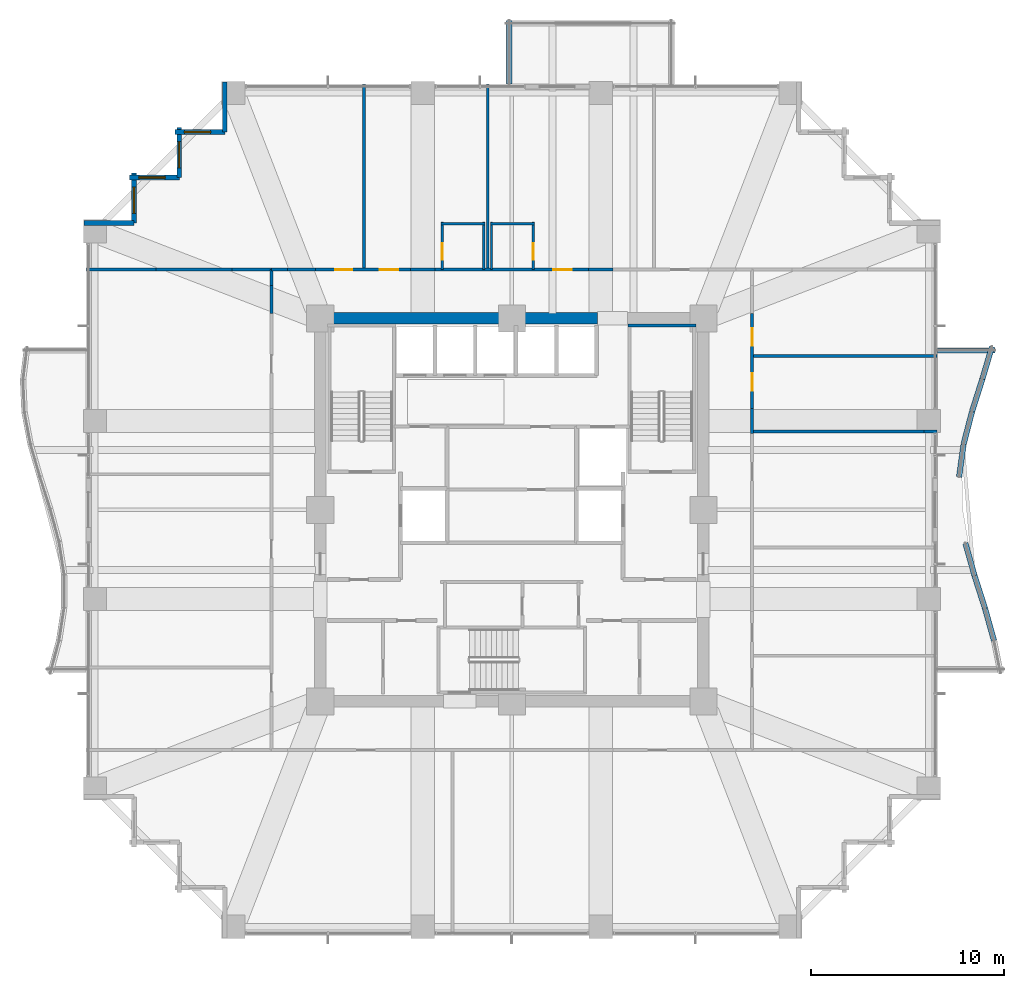
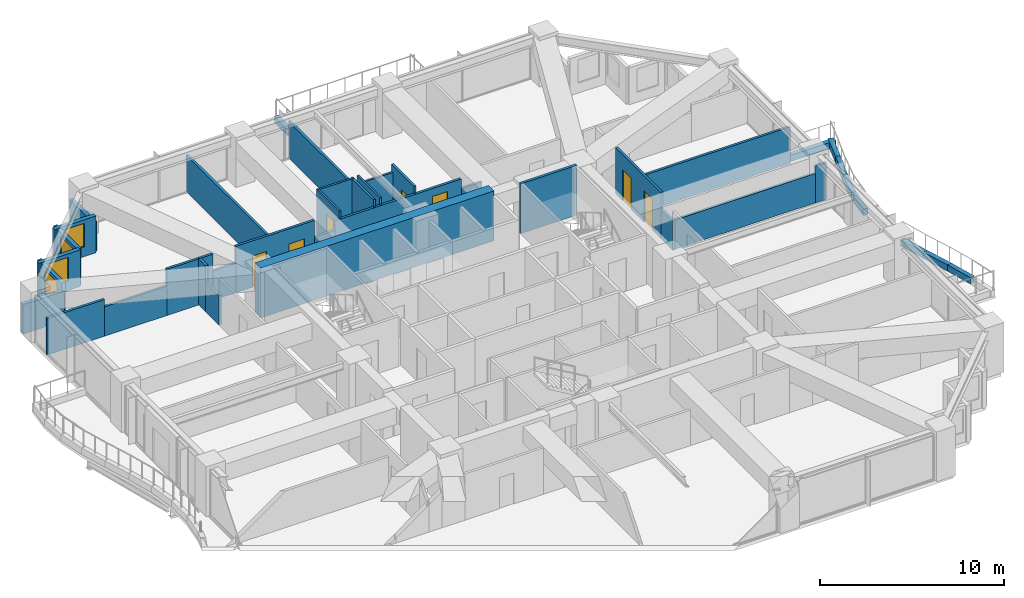
# One storey, part 35 of 39: 41 walls, 7 doors, 4 windows, 11 openings.
"""IFC4 building model written with IfcOpenShell, lengths in metres."""

from ifc_helpers import new_model, si_unit, direction, frame, frame_2d, origin, place, context, subcontext, project, spatial, rectangle, extrude, material, layer, layer_set, type_object, element, fill, save


model = new_model("IFC4")

# Units and contexts
model_context = context("Model", 3, precision=1e-05, world=origin(), true_north=direction((0.0, 1.0)))
body_context = subcontext(model_context, "Body", "Model", "MODEL_VIEW")
ifc_project = project(units=[si_unit("LENGTHUNIT", "METRE"), si_unit("AREAUNIT", "SQUARE_METRE"), si_unit("VOLUMEUNIT", "CUBIC_METRE"), si_unit("PLANEANGLEUNIT", "RADIAN"), si_unit("MASSUNIT", "GRAM", prefix="KILO")], contexts=[model_context])

# Site, building, storey
site_placement = place(None, origin())
site = spatial("IfcSite", under=ifc_project, at=site_placement, CompositionType="ELEMENT")
building_placement = place(site_placement, origin())
building = spatial("IfcBuilding", under=site, at=building_placement, Name="Kolvaren Belvedere", CompositionType="ELEMENT")
storey_placement = place(building_placement, frame((0.0, 0.0, 33.699951171875)))
storey = spatial("IfcBuildingStorey", under=building, at=storey_placement, Name="L09", CompositionType="ELEMENT", Elevation=33.699951171875)

# Walls
ifc_material_1 = material(Name="Concrete C60/75", Category="concrete")
ifc_layer_1 = layer(ifc_material_1, 0.60009765625)
ifc_layer_set_1 = layer_set([ifc_layer_1], Name="Concrete C60/75")
wall_type_1 = type_object("IfcWallType", Name="CW-CORE-600", PredefinedType="SHEAR", material=ifc_layer_set_1)
wall_1_placement = place(storey_placement, frame((-10.199951171875, 9.89990234375, 0.0), z_axis=(0.0, 0.0, 1.0), x_axis=(1.0, 0.0, 0.0)))
element("IfcWall", 1, at=wall_1_placement, inside=storey, type_object=wall_type_1, Name="L09 North Core Shear Wall 1", PredefinedType="SHEAR", context=body_context, shape_type="SweptSolid", body=[
    extrude(rectangle(XDim=14.619873046875, YDim=0.60009765625, at=frame_2d((7.31005859375, 0.0))), origin(), (0.0, 0.0, 1.0), 3.300048828125),
])
ifc_material_2 = material(Name="Concrete C50/60", Category="concrete")
ifc_layer_2 = layer(ifc_material_2, 0.159912109375)
ifc_layer_set_2 = layer_set([ifc_layer_2], Name="Concrete C50/60")
wall_type_2 = type_object("IfcWallType", Name="CW-STAIR-160", PredefinedType="SHEAR", material=ifc_layer_set_2)
wall_2_placement = place(storey_placement, frame((6.0, 9.530029296875, 0.0), z_axis=(0.0, 0.0, 1.0), x_axis=(1.0, 0.0, 0.0)))
element("IfcWall", 2, at=wall_2_placement, inside=storey, type_object=wall_type_2, Name="L09 Stair ST-2 North Shear Wall", PredefinedType="SHEAR", context=body_context, shape_type="SweptSolid", body=[
    extrude(rectangle(XDim=3.52001953125, YDim=0.159912109375, at=frame_2d((1.760009765625, 0.0))), origin(), (0.0, 0.0, 1.0), 3.300048828125),
])
ifc_material_3 = material(Name="Gypsum fire-rated partition assembly", Category="gypsum")
ifc_layer_3 = layer(ifc_material_3, 0.14990234375)
ifc_layer_set_3 = layer_set([ifc_layer_3], Name="Gypsum fire-rated partition assembly")
wall_type_3 = type_object("IfcWallType", Name="WL-CORR-150", PredefinedType="PARTITIONING", material=ifc_layer_set_3)
wall_3_placement = place(storey_placement, frame((-12.419921875, 12.419921875, 0.0), z_axis=(0.0, 0.0, 1.0), x_axis=(1.0, 0.0, 0.0)))
element("IfcWall", 3, at=wall_3_placement, inside=storey, type_object=wall_type_3, Name="L09 North Corridor Wall", PredefinedType="PARTITIONING", context=body_context, shape_type="SweptSolid", body=[
    extrude(rectangle(XDim=0.826904296875, YDim=0.14990234375, at=frame_2d((0.41357421875, 0.0))), origin(), (0.0, 0.0, 1.0), 3.06005859375),
])
wall_4_placement = place(storey_placement, frame((-11.593017578125, 12.419921875, 0.0), z_axis=(0.0, 0.0, 1.0), x_axis=(1.0, 0.0, 0.0)))
element("IfcWall", 4, at=wall_4_placement, inside=storey, type_object=wall_type_3, Name="L09 North Corridor Wall", PredefinedType="PARTITIONING", context=body_context, shape_type="SweptSolid", body=[
    extrude(rectangle(XDim=1.439208984375, YDim=0.14990234375, at=frame_2d((0.7197265625, 0.0))), origin(), (0.0, 0.0, 1.0), 1.945068359375),
])

# Wall, openings, doors
wall_5_placement = place(storey_placement, frame((-10.15380859375, 12.419921875, 0.0), z_axis=(0.0, 0.0, 1.0), x_axis=(1.0, 0.0, 0.0)))
wall_5 = element("IfcWall", 5, at=wall_5_placement, inside=storey, type_object=wall_type_3, Name="L09 North Corridor Wall", PredefinedType="PARTITIONING", context=body_context, shape_type="SweptSolid", body=[
    extrude(rectangle(XDim=4.911865234375, YDim=0.14990234375, at=frame_2d((2.4560546875, 0.0))), origin(), (0.0, 0.0, 1.0), 3.06005859375),
])
opening_1_placement = place(wall_5_placement, frame((1.016845703125, 0.0, 0.0)))
opening_1 = element("IfcOpeningElement", 6, at=opening_1_placement, cuts=wall_5, Name="Opening D-INT90", PredefinedType="OPENING", context=body_context, shape_type="SweptSolid", body=[
    extrude(rectangle(XDim=0.89990234375, YDim=2.06005859375, at=frame_2d((0.449951171875, 1.030029296875))), frame((0.0, 0.0849609375, 0.0), z_axis=(0.0, -1.0, 0.0), x_axis=(1.0, 0.0, 0.0)), (0.0, 0.0, 1.0), 0.169921875),
])
opening_2_placement = place(wall_5_placement, frame((3.326904296875, 0.0, 0.0)))
opening_2 = element("IfcOpeningElement", 7, at=opening_2_placement, cuts=wall_5, Name="Opening D-FD60", PredefinedType="OPENING", context=body_context, shape_type="SweptSolid", body=[
    extrude(rectangle(XDim=0.949951171875, YDim=2.06005859375, at=frame_2d((0.47509765625, 1.030029296875))), frame((0.0, 0.0849609375, 0.0), z_axis=(0.0, -1.0, 0.0), x_axis=(1.0, 0.0, 0.0)), (0.0, 0.0, 1.0), 0.169921875),
])
ifc_material_4 = material(Name="Acoustic white-oak fire door leaf", Category="timber")
door_type_1 = type_object("IfcDoorType", Name="DR-FD60-950", OperationType="NOTDEFINED", PredefinedType="DOOR", material=ifc_material_4)
door_1_placement = place(opening_2_placement, origin())
door_1 = element("IfcDoor", 8, at=door_1_placement, inside=storey, type_object=door_type_1, Name="L09 Deluxe King Guest Room 912 Entry Door", OperationType="SINGLE_SWING_LEFT", OverallHeight=2.06005859375, OverallWidth=0.949951171875, PredefinedType="DOOR", context=body_context, shape_type="SweptSolid", body=[
    extrude(rectangle(XDim=0.949951171875, YDim=2.06005859375, at=frame_2d((0.47509765625, 1.030029296875))), frame((0.0, 0.02490234375, 0.0), z_axis=(0.0, -1.0, 0.0), x_axis=(1.0, 0.0, 0.0)), (0.0, 0.0, 1.0), 0.050048828125),
])
fill(opening_2, door_1)
ifc_material_5 = material(Name="Stained Pacific white oak", Category="timber")
door_type_2 = type_object("IfcDoorType", Name="DR-INT-900", OperationType="NOTDEFINED", PredefinedType="DOOR", material=ifc_material_5)
door_2_placement = place(opening_1_placement, origin())
door_2 = element("IfcDoor", 9, at=door_2_placement, inside=storey, type_object=door_type_2, Name="L09 Lounge 911 Door", OperationType="SINGLE_SWING_LEFT", OverallHeight=2.06005859375, OverallWidth=0.89990234375, PredefinedType="DOOR", context=body_context, shape_type="SweptSolid", body=[
    extrude(rectangle(XDim=0.89990234375, YDim=2.06005859375, at=frame_2d((0.449951171875, 1.030029296875))), frame((0.0, 0.02490234375, 0.0), z_axis=(0.0, -1.0, 0.0), x_axis=(1.0, 0.0, 0.0)), (0.0, 0.0, 1.0), 0.050048828125),
])
fill(opening_1, door_2)

# Wall
wall_6_placement = place(storey_placement, frame((-5.241943359375, 12.419921875, 0.0), z_axis=(0.0, 0.0, 1.0), x_axis=(1.0, 0.0, 0.0)))
element("IfcWall", 10, at=wall_6_placement, inside=storey, type_object=wall_type_3, Name="L09 North Corridor Wall", PredefinedType="PARTITIONING", context=body_context, shape_type="SweptSolid", body=[
    extrude(rectangle(XDim=1.283935546875, YDim=0.14990234375, at=frame_2d((0.64208984375, 0.0))), origin(), (0.0, 0.0, 1.0), 1.945068359375),
])

# Wall, opening, door
wall_7_placement = place(storey_placement, frame((-3.9580078125, 12.419921875, 0.0), z_axis=(0.0, 0.0, 1.0), x_axis=(1.0, 0.0, 0.0)))
wall_7 = element("IfcWall", 11, at=wall_7_placement, inside=storey, type_object=wall_type_3, Name="L09 North Corridor Wall", PredefinedType="PARTITIONING", context=body_context, shape_type="SweptSolid", body=[
    extrude(rectangle(XDim=7.916015625, YDim=0.14990234375, at=frame_2d((3.9580078125, 0.0))), origin(), (0.0, 0.0, 1.0), 2.5849609375),
])
opening_3_placement = place(wall_7_placement, frame((6.1083984375, 0.0, 0.0)))
opening_3 = element("IfcOpeningElement", 12, at=opening_3_placement, cuts=wall_7, Name="Opening D-FD60", PredefinedType="OPENING", context=body_context, shape_type="SweptSolid", body=[
    extrude(rectangle(XDim=0.949951171875, YDim=2.06005859375, at=frame_2d((0.47509765625, 1.030029296875))), frame((0.0, 0.0849609375, 0.0), z_axis=(0.0, -1.0, 0.0), x_axis=(1.0, 0.0, 0.0)), (0.0, 0.0, 1.0), 0.169921875),
])
door_3_placement = place(opening_3_placement, origin())
door_3 = element("IfcDoor", 13, at=door_3_placement, inside=storey, type_object=door_type_1, Name="L09 Twin Guest Room 913 Entry Door", OperationType="SINGLE_SWING_LEFT", OverallHeight=2.06005859375, OverallWidth=0.949951171875, PredefinedType="DOOR", context=body_context, shape_type="SweptSolid", body=[
    extrude(rectangle(XDim=0.949951171875, YDim=2.06005859375, at=frame_2d((0.47509765625, 1.030029296875))), frame((0.0, 0.02490234375, 0.0), z_axis=(0.0, -1.0, 0.0), x_axis=(1.0, 0.0, 0.0)), (0.0, 0.0, 1.0), 0.050048828125),
])
fill(opening_3, door_3)

# Walls
wall_8_placement = place(storey_placement, frame((3.9580078125, 12.419921875, 0.0), z_axis=(0.0, 0.0, 1.0), x_axis=(1.0, 0.0, 0.0)))
element("IfcWall", 14, at=wall_8_placement, inside=storey, type_object=wall_type_3, Name="L09 North Corridor Wall", PredefinedType="PARTITIONING", context=body_context, shape_type="SweptSolid", body=[
    extrude(rectangle(XDim=1.283935546875, YDim=0.14990234375, at=frame_2d((0.64208984375, 0.0))), origin(), (0.0, 0.0, 1.0), 1.945068359375),
])
wall_9_placement = place(storey_placement, frame((-12.419921875, 10.15380859375, 0.0), z_axis=(0.0, 0.0, 1.0), x_axis=(0.0, 1.0, 0.0)))
element("IfcWall", 15, at=wall_9_placement, inside=storey, type_object=wall_type_3, Name="L09 West Corridor Wall", PredefinedType="PARTITIONING", context=body_context, shape_type="SweptSolid", body=[
    extrude(rectangle(XDim=1.439208984375, YDim=0.14990234375, at=frame_2d((0.7197265625, 0.0))), origin(), (0.0, 0.0, 1.0), 1.945068359375),
])
wall_10_placement = place(storey_placement, frame((-12.419921875, 11.593017578125, 0.0), z_axis=(0.0, 0.0, 1.0), x_axis=(0.0, 1.0, 0.0)))
element("IfcWall", 16, at=wall_10_placement, inside=storey, type_object=wall_type_3, Name="L09 West Corridor Wall", PredefinedType="PARTITIONING", context=body_context, shape_type="SweptSolid", body=[
    extrude(rectangle(XDim=0.826904296875, YDim=0.14990234375, at=frame_2d((0.41357421875, 0.0))), origin(), (0.0, 0.0, 1.0), 3.06005859375),
])
wall_11_placement = place(storey_placement, frame((12.419921875, 3.9580078125, 0.0), z_axis=(0.0, 0.0, 1.0), x_axis=(0.0, 1.0, 0.0)))
element("IfcWall", 17, at=wall_11_placement, inside=storey, type_object=wall_type_3, Name="L09 East Corridor Wall", PredefinedType="PARTITIONING", context=body_context, shape_type="SweptSolid", body=[
    extrude(rectangle(XDim=1.283935546875, YDim=0.14990234375, at=frame_2d((0.64208984375, 0.0))), origin(), (0.0, 0.0, 1.0), 1.945068359375),
])

# Wall, openings, doors
wall_12_placement = place(storey_placement, frame((12.419921875, 5.241943359375, 0.0), z_axis=(0.0, 0.0, 1.0), x_axis=(0.0, 1.0, 0.0)))
wall_12 = element("IfcWall", 18, at=wall_12_placement, inside=storey, type_object=wall_type_3, Name="L09 East Corridor Wall", PredefinedType="PARTITIONING", context=body_context, shape_type="SweptSolid", body=[
    extrude(rectangle(XDim=4.911865234375, YDim=0.14990234375, at=frame_2d((2.4560546875, 0.0))), origin(), (0.0, 0.0, 1.0), 3.06005859375),
])
opening_4_placement = place(wall_12_placement, frame((0.918701171875, 0.0, 0.0)))
opening_4 = element("IfcOpeningElement", 19, at=opening_4_placement, cuts=wall_12, Name="Opening D-INT90", PredefinedType="OPENING", context=body_context, shape_type="SweptSolid", body=[
    extrude(rectangle(XDim=0.89990234375, YDim=2.06005859375, at=frame_2d((0.449951171875, 1.030029296875))), frame((0.0, 0.0849609375, 0.0), z_axis=(0.0, -1.0, 0.0), x_axis=(1.0, 0.0, 0.0)), (0.0, 0.0, 1.0), 0.169921875),
])
opening_5_placement = place(wall_12_placement, frame((3.253662109375, 0.0, 0.0)))
opening_5 = element("IfcOpeningElement", 20, at=opening_5_placement, cuts=wall_12, Name="Opening D-INT90", PredefinedType="OPENING", context=body_context, shape_type="SweptSolid", body=[
    extrude(rectangle(XDim=0.89990234375, YDim=2.06005859375, at=frame_2d((0.449951171875, 1.030029296875))), frame((0.0, 0.0849609375, 0.0), z_axis=(0.0, -1.0, 0.0), x_axis=(1.0, 0.0, 0.0)), (0.0, 0.0, 1.0), 0.169921875),
])
door_4_placement = place(opening_4_placement, origin())
door_4 = element("IfcDoor", 21, at=door_4_placement, inside=storey, type_object=door_type_2, Name="L09 Lounge 906 Door", OperationType="SINGLE_SWING_RIGHT", OverallHeight=2.06005859375, OverallWidth=0.89990234375, PredefinedType="DOOR", context=body_context, shape_type="SweptSolid", body=[
    extrude(rectangle(XDim=0.89990234375, YDim=2.06005859375, at=frame_2d((0.449951171875, 1.030029296875))), frame((0.0, 0.02490234375, 0.0), z_axis=(0.0, -1.0, 0.0), x_axis=(1.0, 0.0, 0.0)), (0.0, 0.0, 1.0), 0.050048828125),
])
fill(opening_4, door_4)
door_5_placement = place(opening_5_placement, origin())
door_5 = element("IfcDoor", 22, at=door_5_placement, inside=storey, type_object=door_type_2, Name="L09 Lounge 907 Door", OperationType="SINGLE_SWING_LEFT", OverallHeight=2.06005859375, OverallWidth=0.89990234375, PredefinedType="DOOR", context=body_context, shape_type="SweptSolid", body=[
    extrude(rectangle(XDim=0.89990234375, YDim=2.06005859375, at=frame_2d((0.449951171875, 1.030029296875))), frame((0.0, 0.02490234375, 0.0), z_axis=(0.0, -1.0, 0.0), x_axis=(1.0, 0.0, 0.0)), (0.0, 0.0, 1.0), 0.050048828125),
])
fill(opening_5, door_5)

# Wall
ifc_material_6 = material(Name="Insulated pale-metal facade wall assembly", Category="aluminium")
ifc_layer_4 = layer(ifc_material_6, 0.239990234375)
ifc_layer_set_4 = layer_set([ifc_layer_4], Name="Insulated pale-metal facade wall assembly")
wall_type_4 = type_object("IfcWallType", Name="WL-EXT-240", PredefinedType="STANDARD", material=ifc_layer_set_4)
wall_13_placement = place(storey_placement, frame((-14.830078125, 19.530029296875, 0.0), z_axis=(0.0, 0.0, 1.0), x_axis=(0.0, 1.0, 0.0)))
element("IfcWall", 23, at=wall_13_placement, inside=storey, type_object=wall_type_4, Name="L09 Serrated Corner Facade Wall 16", PredefinedType="STANDARD", context=body_context, shape_type="SweptSolid", body=[
    extrude(rectangle(XDim=2.590087890625, YDim=0.239990234375, at=frame_2d((1.294921875, 0.0))), origin(), (0.0, 0.0, 1.0), 1.955078125),
])

# Wall, opening, window
wall_14_placement = place(storey_placement, frame((-17.419921875, 19.530029296875, 0.0), z_axis=(0.0, 0.0, 1.0), x_axis=(1.0, 0.0, 0.0)))
wall_14 = element("IfcWall", 24, at=wall_14_placement, inside=storey, type_object=wall_type_4, Name="L09 Serrated Corner Facade Wall 17", PredefinedType="STANDARD", context=body_context, shape_type="SweptSolid", body=[
    extrude(rectangle(XDim=2.58984375, YDim=0.239990234375, at=frame_2d((1.294921875, 0.0))), origin(), (0.0, 0.0, 1.0), 2.43896484375),
])
opening_6_placement = place(wall_14_placement, frame((0.5, 0.0, 0.64990234375)))
opening_6 = element("IfcOpeningElement", 25, at=opening_6_placement, cuts=wall_14, Name="Opening W-1350", PredefinedType="OPENING", context=body_context, shape_type="SweptSolid", body=[
    extrude(rectangle(XDim=1.35009765625, YDim=1.550048828125, at=frame_2d((0.675048828125, 0.77490234375))), frame((0.0, 0.1298828125, 0.0), z_axis=(0.0, -1.0, 0.0), x_axis=(1.0, 0.0, 0.0)), (0.0, 0.0, 1.0), 0.260009765625),
])
ifc_material_7 = material(Name="Low-iron triple insulated glass", Category="glass")
window_type = type_object("IfcWindowType", Name="WN-CORN-1350", PartitioningType="SINGLE_PANEL", PredefinedType="WINDOW", material=ifc_material_7)
window_1_placement = place(opening_6_placement, origin())
window_1 = element("IfcWindow", 26, at=window_1_placement, inside=storey, type_object=window_type, Name="L09 Serrated Corner Vision Window 17", OverallHeight=1.550048828125, OverallWidth=1.35009765625, PartitioningType="SINGLE_PANEL", PredefinedType="WINDOW", context=body_context, shape_type="SweptSolid", body=[
    extrude(rectangle(XDim=1.35009765625, YDim=1.550048828125, at=frame_2d((0.675048828125, 0.77490234375))), frame((0.0, 0.030029296875, 0.0), z_axis=(0.0, -1.0, 0.0), x_axis=(1.0, 0.0, 0.0)), (0.0, 0.0, 1.0), 0.06005859375),
])
fill(opening_6, window_1)

wall_15_placement = place(storey_placement, frame((-17.179931640625, 17.179931640625, 0.0), z_axis=(0.0, 0.0, 1.0), x_axis=(0.0, 1.0, 0.0)))
wall_15 = element("IfcWall", 27, at=wall_15_placement, inside=storey, type_object=wall_type_4, Name="L09 Serrated Corner Facade Wall 18", PredefinedType="STANDARD", context=body_context, shape_type="SweptSolid", body=[
    extrude(rectangle(XDim=2.590087890625, YDim=0.239990234375, at=frame_2d((1.294921875, 0.0))), origin(), (0.0, 0.0, 1.0), 2.43896484375),
])
opening_7_placement = place(wall_15_placement, frame((0.5, 0.0, 0.64990234375)))
opening_7 = element("IfcOpeningElement", 28, at=opening_7_placement, cuts=wall_15, Name="Opening W-1350", PredefinedType="OPENING", context=body_context, shape_type="SweptSolid", body=[
    extrude(rectangle(XDim=1.35009765625, YDim=1.550048828125, at=frame_2d((0.675048828125, 0.77490234375))), frame((0.0, 0.1298828125, 0.0), z_axis=(0.0, -1.0, 0.0), x_axis=(1.0, 0.0, 0.0)), (0.0, 0.0, 1.0), 0.260009765625),
])
window_2_placement = place(opening_7_placement, origin())
window_2 = element("IfcWindow", 29, at=window_2_placement, inside=storey, type_object=window_type, Name="L09 Serrated Corner Vision Window 18", OverallHeight=1.550048828125, OverallWidth=1.35009765625, PartitioningType="SINGLE_PANEL", PredefinedType="WINDOW", context=body_context, shape_type="SweptSolid", body=[
    extrude(rectangle(XDim=1.35009765625, YDim=1.550048828125, at=frame_2d((0.675048828125, 0.77490234375))), frame((0.0, 0.030029296875, 0.0), z_axis=(0.0, -1.0, 0.0), x_axis=(1.0, 0.0, 0.0)), (0.0, 0.0, 1.0), 0.06005859375),
])
fill(opening_7, window_2)

wall_16_placement = place(storey_placement, frame((-19.77001953125, 17.179931640625, 0.0), z_axis=(0.0, 0.0, 1.0), x_axis=(1.0, 0.0, 0.0)))
wall_16 = element("IfcWall", 30, at=wall_16_placement, inside=storey, type_object=wall_type_4, Name="L09 Serrated Corner Facade Wall 19", PredefinedType="STANDARD", context=body_context, shape_type="SweptSolid", body=[
    extrude(rectangle(XDim=2.590087890625, YDim=0.239990234375, at=frame_2d((1.294921875, 0.0))), origin(), (0.0, 0.0, 1.0), 2.43896484375),
])
opening_8_placement = place(wall_16_placement, frame((0.5, 0.0, 0.64990234375)))
opening_8 = element("IfcOpeningElement", 31, at=opening_8_placement, cuts=wall_16, Name="Opening W-1350", PredefinedType="OPENING", context=body_context, shape_type="SweptSolid", body=[
    extrude(rectangle(XDim=1.35009765625, YDim=1.550048828125, at=frame_2d((0.675048828125, 0.77490234375))), frame((0.0, 0.1298828125, 0.0), z_axis=(0.0, -1.0, 0.0), x_axis=(1.0, 0.0, 0.0)), (0.0, 0.0, 1.0), 0.260009765625),
])
window_3_placement = place(opening_8_placement, origin())
window_3 = element("IfcWindow", 32, at=window_3_placement, inside=storey, type_object=window_type, Name="L09 Serrated Corner Vision Window 19", OverallHeight=1.550048828125, OverallWidth=1.35009765625, PartitioningType="SINGLE_PANEL", PredefinedType="WINDOW", context=body_context, shape_type="SweptSolid", body=[
    extrude(rectangle(XDim=1.35009765625, YDim=1.550048828125, at=frame_2d((0.675048828125, 0.77490234375))), frame((0.0, 0.030029296875, 0.0), z_axis=(0.0, -1.0, 0.0), x_axis=(1.0, 0.0, 0.0)), (0.0, 0.0, 1.0), 0.06005859375),
])
fill(opening_8, window_3)

wall_17_placement = place(storey_placement, frame((-19.530029296875, 14.830078125, 0.0), z_axis=(0.0, 0.0, 1.0), x_axis=(0.0, 1.0, 0.0)))
wall_17 = element("IfcWall", 33, at=wall_17_placement, inside=storey, type_object=wall_type_4, Name="L09 Serrated Corner Facade Wall 20", PredefinedType="STANDARD", context=body_context, shape_type="SweptSolid", body=[
    extrude(rectangle(XDim=2.58984375, YDim=0.239990234375, at=frame_2d((1.294921875, 0.0))), origin(), (0.0, 0.0, 1.0), 2.43896484375),
])
opening_9_placement = place(wall_17_placement, frame((0.5, 0.0, 0.64990234375)))
opening_9 = element("IfcOpeningElement", 34, at=opening_9_placement, cuts=wall_17, Name="Opening W-1350", PredefinedType="OPENING", context=body_context, shape_type="SweptSolid", body=[
    extrude(rectangle(XDim=1.35009765625, YDim=1.550048828125, at=frame_2d((0.675048828125, 0.77490234375))), frame((0.0, 0.1298828125, 0.0), z_axis=(0.0, -1.0, 0.0), x_axis=(1.0, 0.0, 0.0)), (0.0, 0.0, 1.0), 0.260009765625),
])
window_4_placement = place(opening_9_placement, origin())
window_4 = element("IfcWindow", 35, at=window_4_placement, inside=storey, type_object=window_type, Name="L09 Serrated Corner Vision Window 20", OverallHeight=1.550048828125, OverallWidth=1.35009765625, PartitioningType="SINGLE_PANEL", PredefinedType="WINDOW", context=body_context, shape_type="SweptSolid", body=[
    extrude(rectangle(XDim=1.35009765625, YDim=1.550048828125, at=frame_2d((0.675048828125, 0.77490234375))), frame((0.0, 0.030029296875, 0.0), z_axis=(0.0, -1.0, 0.0), x_axis=(1.0, 0.0, 0.0)), (0.0, 0.0, 1.0), 0.06005859375),
])
fill(opening_9, window_4)

# Walls
wall_18_placement = place(storey_placement, frame((-22.1201171875, 14.830078125, 0.0), z_axis=(0.0, 0.0, 1.0), x_axis=(1.0, 0.0, 0.0)))
element("IfcWall", 36, at=wall_18_placement, inside=storey, type_object=wall_type_4, Name="L09 Serrated Corner Facade Wall 21", PredefinedType="STANDARD", context=body_context, shape_type="SweptSolid", body=[
    extrude(rectangle(XDim=2.590087890625, YDim=0.239990234375, at=frame_2d((1.294921875, 0.0))), origin(), (0.0, 0.0, 1.0), 1.955078125),
])
ifc_material_8 = material(Name="Gypsum acoustic partition assembly", Category="gypsum")
ifc_layer_5 = layer(ifc_material_8, 0.14990234375)
ifc_layer_set_5 = layer_set([ifc_layer_5], Name="Gypsum acoustic partition assembly")
wall_type_5 = type_object("IfcWallType", Name="WL-PART-150", PredefinedType="PARTITIONING", material=ifc_layer_set_5)
wall_19_placement = place(storey_placement, frame((-21.97998046875, 12.419921875, 0.0), z_axis=(0.0, 0.0, 1.0), x_axis=(1.0, 0.0, 0.0)))
element("IfcWall", 37, at=wall_19_placement, inside=storey, type_object=wall_type_5, Name="L09 Wing Divider PW-L09-QNW", PredefinedType="PARTITIONING", context=body_context, shape_type="SweptSolid", body=[
    extrude(rectangle(XDim=3.602294921875, YDim=0.14990234375, at=frame_2d((1.80126953125, 0.0))), origin(), (0.0, 0.0, 1.0), 2.428955078125),
])
wall_20_placement = place(storey_placement, frame((-18.377685546875, 12.419921875, 0.0), z_axis=(0.0, 0.0, 1.0), x_axis=(1.0, 0.0, 0.0)))
element("IfcWall", 38, at=wall_20_placement, inside=storey, type_object=wall_type_5, Name="L09 Wing Divider PW-L09-QNW", PredefinedType="PARTITIONING", context=body_context, shape_type="SweptSolid", body=[
    extrude(rectangle(XDim=3.907470703125, YDim=0.14990234375, at=frame_2d((1.95361328125, 0.0))), origin(), (0.0, 0.0, 1.0), 1.945068359375),
])
wall_21_placement = place(storey_placement, frame((-14.47021484375, 12.419921875, 0.0), z_axis=(0.0, 0.0, 1.0), x_axis=(1.0, 0.0, 0.0)))
element("IfcWall", 39, at=wall_21_placement, inside=storey, type_object=wall_type_5, Name="L09 Wing Divider PW-L09-QNW", PredefinedType="PARTITIONING", context=body_context, shape_type="SweptSolid", body=[
    extrude(rectangle(XDim=2.05029296875, YDim=0.14990234375, at=frame_2d((1.025146484375, 0.0))), origin(), (0.0, 0.0, 1.0), 3.06005859375),
])
wall_22_placement = place(storey_placement, frame((12.419921875, 4.06005859375, 0.0), z_axis=(0.0, 0.0, 1.0), x_axis=(1.0, 0.0, 0.0)))
element("IfcWall", 40, at=wall_22_placement, inside=storey, type_object=wall_type_5, Name="L09 East Suite Demising Wall 3", PredefinedType="PARTITIONING", context=body_context, shape_type="SweptSolid", body=[
    extrude(rectangle(XDim=8.89013671875, YDim=0.14990234375, at=frame_2d((4.445068359375, 0.0))), origin(), (0.0, 0.0, 1.0), 1.945068359375),
])
wall_23_placement = place(storey_placement, frame((21.31005859375, 4.06005859375, 0.0), z_axis=(0.0, 0.0, 1.0), x_axis=(1.0, 0.0, 0.0)))
element("IfcWall", 41, at=wall_23_placement, inside=storey, type_object=wall_type_5, Name="L09 East Suite Demising Wall 3", PredefinedType="PARTITIONING", context=body_context, shape_type="SweptSolid", body=[
    extrude(rectangle(XDim=0.669921875, YDim=0.14990234375, at=frame_2d((0.3349609375, 0.0))), origin(), (0.0, 0.0, 1.0), 2.428955078125),
])
for number, where, z_axis, x_axis, name in (
    (42, (12.419921875, 7.9599609375, 0.0), (0.0, 0.0, 1.0), (1.0, 0.0, 0.0), "L09 East Suite Demising Wall 4"),
    (43, (-7.64404296875, 12.419921875, 0.0), (0.0, 0.0, 1.0), (0.0, 1.0, 0.0), "L09 North Suite Demising Wall 1"),
    (44, (-1.243896484375, 12.419921875, 0.0), (0.0, 0.0, 1.0), (0.0, 1.0, 0.0), "L09 North Suite Demising Wall 2"),
):
    element("IfcWall", number, at=place(storey_placement, frame(where, z_axis=z_axis, x_axis=x_axis)), inside=storey, type_object=wall_type_5, Name=name, PredefinedType="PARTITIONING", context=body_context, shape_type="SweptSolid", body=[
        extrude(rectangle(XDim=9.56005859375, YDim=0.14990234375, at=frame_2d((4.780029296875, 0.0))), origin(), (0.0, 0.0, 1.0), 2.428955078125),
    ])
ifc_material_9 = material(Name="Precast concrete C40/50", Category="concrete")
ifc_layer_6 = layer(ifc_material_9, 0.300048828125)
ifc_layer_set_6 = layer_set([ifc_layer_6], Name="Precast concrete C40/50")
wall_type_6 = type_object("IfcWallType", Name="WL-PLANTER-300", PredefinedType="PARAPET", material=ifc_layer_set_6)
wall_24_placement = place(storey_placement, frame((-0.139892578125, 25.300048828125, -0.06005859375), z_axis=(0.0, 0.0, 1.0), x_axis=(0.0, -1.0, 0.0)))
element("IfcWall", 45, at=wall_24_placement, inside=storey, type_object=wall_type_6, Name="L09 Precast Structural Planter Wall SPIRAL-01-N-4", PredefinedType="PARAPET", context=body_context, shape_type="SweptSolid", body=[
    extrude(rectangle(XDim=3.300048828125, YDim=0.280029296875, at=frame_2d((1.64990234375, 0.0))), origin(), (0.0, 0.0, 1.0), 0.420166015625),
])
wall_25_placement = place(storey_placement, frame((24.92529296875, -6.76318359375, -0.06005859375), z_axis=(0.0, 0.0, 1.0), x_axis=(-0.269801210823, 0.962916043401, 0.0)))
element("IfcWall", 46, at=wall_25_placement, inside=storey, type_object=wall_type_6, Name="L09 Precast Structural Planter Wall BAL-E-2", PredefinedType="PARAPET", context=body_context, shape_type="SweptSolid", body=[
    extrude(rectangle(XDim=1.74462890625, YDim=0.280029296875, at=frame_2d((0.872314453125, 0.0))), origin(), (0.0, 0.0, 1.0), 0.420166015625),
])
wall_26_placement = place(storey_placement, frame((24.456298828125, -5.088623046875, -0.06005859375), z_axis=(0.0, 0.0, 1.0), x_axis=(-0.304660208284, 0.952461105499, 0.0)))
element("IfcWall", 47, at=wall_26_placement, inside=storey, type_object=wall_type_6, Name="L09 Precast Structural Planter Wall BAL-E-3", PredefinedType="PARAPET", context=body_context, shape_type="SweptSolid", body=[
    extrude(rectangle(XDim=1.763671875, YDim=0.280029296875, at=frame_2d((0.8818359375, 0.0))), origin(), (0.0, 0.0, 1.0), 0.420166015625),
])
wall_27_placement = place(storey_placement, frame((23.917236328125, -3.4033203125, -0.06005859375), z_axis=(0.0, 0.0, 1.0), x_axis=(-0.269764860108, 0.962926227834, 0.0)))
element("IfcWall", 48, at=wall_27_placement, inside=storey, type_object=wall_type_6, Name="L09 Precast Structural Planter Wall BAL-E-4", PredefinedType="PARAPET", context=body_context, shape_type="SweptSolid", body=[
    extrude(rectangle(XDim=1.744873046875, YDim=0.280029296875, at=frame_2d((0.87255859375, 0.0))), origin(), (0.0, 0.0, 1.0), 0.420166015625),
])
wall_28_placement = place(storey_placement, frame((23.12060546875, 1.70166015625, -0.06005859375), z_axis=(0.0, 0.0, 1.0), x_axis=(0.134926850989, 0.990855562068, 0.0)))
element("IfcWall", 49, at=wall_28_placement, inside=storey, type_object=wall_type_6, Name="L09 Precast Structural Planter Wall BAL-E-7", PredefinedType="PARAPET", context=body_context, shape_type="SweptSolid", body=[
    extrude(rectangle(XDim=1.695556640625, YDim=0.280029296875, at=frame_2d((0.84765625, 0.0))), origin(), (0.0, 0.0, 1.0), 0.420166015625),
])
wall_29_placement = place(storey_placement, frame((23.352783203125, 3.400146484375, -0.06005859375), z_axis=(0.0, 0.0, 1.0), x_axis=(0.25057152961, 0.968098088289, 0.0)))
element("IfcWall", 50, at=wall_29_placement, inside=storey, type_object=wall_type_6, Name="L09 Precast Structural Planter Wall BAL-E-8", PredefinedType="PARAPET", context=body_context, shape_type="SweptSolid", body=[
    extrude(rectangle(XDim=1.7353515625, YDim=0.280029296875, at=frame_2d((0.86767578125, 0.0))), origin(), (0.0, 0.0, 1.0), 0.420166015625),
])
wall_30_placement = place(storey_placement, frame((23.789794921875, 5.08837890625, -0.06005859375), z_axis=(0.0, 0.0, 1.0), x_axis=(0.302523204768, 0.953142020151, 0.0)))
element("IfcWall", 51, at=wall_30_placement, inside=storey, type_object=wall_type_6, Name="L09 Precast Structural Planter Wall BAL-E-9", PredefinedType="PARAPET", context=body_context, shape_type="SweptSolid", body=[
    extrude(rectangle(XDim=1.762451171875, YDim=0.280029296875, at=frame_2d((0.88134765625, 0.0))), origin(), (0.0, 0.0, 1.0), 0.420166015625),
])
wall_31_placement = place(storey_placement, frame((24.322021484375, 6.765625, -0.06005859375), z_axis=(0.0, 0.0, 1.0), x_axis=(0.284880325779, 0.95856309129, 0.0)))
element("IfcWall", 52, at=wall_31_placement, inside=storey, type_object=wall_type_6, Name="L09 Precast Structural Planter Wall BAL-E-10", PredefinedType="PARAPET", context=body_context, shape_type="SweptSolid", body=[
    extrude(rectangle(XDim=1.75244140625, YDim=0.280029296875, at=frame_2d((0.876220703125, 0.0))), origin(), (0.0, 0.0, 1.0), 0.420166015625),
])
wall_32_placement = place(storey_placement, frame((24.974853515625, 8.239990234375, -0.06005859375), z_axis=(0.0, 0.0, 1.0), x_axis=(-1.0, 0.0, 0.0)))
element("IfcWall", 53, at=wall_32_placement, inside=storey, type_object=wall_type_6, Name="L09 Precast Structural Planter Wall BAL-E-11", PredefinedType="PARAPET", context=body_context, shape_type="SweptSolid", body=[
    extrude(rectangle(XDim=2.974853515625, YDim=0.280029296875, at=frame_2d((1.4873046875, 0.0))), origin(), (0.0, 0.0, 1.0), 0.420166015625),
])

# Wall, opening, door
ifc_material_10 = material(Name="Moisture-resistant gypsum partition", Category="gypsum")
ifc_layer_7 = layer(ifc_material_10, 0.125)
ifc_layer_set_7 = layer_set([ifc_layer_7], Name="Moisture-resistant gypsum partition")
wall_type_7 = type_object("IfcWallType", Name="WL-WET-125", PredefinedType="PARTITIONING", material=ifc_layer_set_7)
wall_33_placement = place(storey_placement, frame((-3.589111328125, 12.43505859375, 0.0), z_axis=(0.0, 0.0, 1.0), x_axis=(0.0, 1.0, 0.0)))
wall_33 = element("IfcWall", 54, at=wall_33_placement, inside=storey, type_object=wall_type_7, Name="L09 Bathroom Partition PW-L09-BTH-12-E", PredefinedType="PARTITIONING", context=body_context, shape_type="SweptSolid", body=[
    extrude(rectangle(XDim=2.43994140625, YDim=0.125, at=frame_2d((1.219970703125, 0.0))), origin(), (0.0, 0.0, 1.0), 3.06005859375),
])
opening_10_placement = place(wall_33_placement, frame((0.5, 0.0, 0.0)))
opening_10 = element("IfcOpeningElement", 55, at=opening_10_placement, cuts=wall_33, Name="Opening D-BTH85", PredefinedType="OPENING", context=body_context, shape_type="SweptSolid", body=[
    extrude(rectangle(XDim=0.85009765625, YDim=2.030029296875, at=frame_2d((0.425048828125, 1.01513671875))), frame((0.0, 0.072509765625, 0.0), z_axis=(0.0, -1.0, 0.0), x_axis=(1.0, 0.0, 0.0)), (0.0, 0.0, 1.0), 0.14501953125),
])
ifc_material_11 = material(Name="Moisture-sealed Pacific white oak", Category="timber")
door_type_3 = type_object("IfcDoorType", Name="DR-BATH-850", OperationType="NOTDEFINED", PredefinedType="DOOR", material=ifc_material_11)
door_6_placement = place(opening_10_placement, origin())
door_6 = element("IfcDoor", 56, at=door_6_placement, inside=storey, type_object=door_type_3, Name="L09 En-Suite Bathroom 912 Door", OperationType="SINGLE_SWING_RIGHT", OverallHeight=2.030029296875, OverallWidth=0.85009765625, PredefinedType="DOOR", context=body_context, shape_type="SweptSolid", body=[
    extrude(rectangle(XDim=0.85009765625, YDim=2.030029296875, at=frame_2d((0.425048828125, 1.01513671875))), frame((0.0, 0.02490234375, 0.0), z_axis=(0.0, -1.0, 0.0), x_axis=(1.0, 0.0, 0.0)), (0.0, 0.0, 1.0), 0.050048828125),
])
fill(opening_10, door_6)

# Walls
wall_34_placement = place(storey_placement, frame((-3.64892578125, 14.794921875, 0.0), z_axis=(0.0, 0.0, 1.0), x_axis=(1.0, 0.0, 0.0)))
element("IfcWall", 57, at=wall_34_placement, inside=storey, type_object=wall_type_7, Name="L09 Bathroom Partition PW-L09-BTH-12-H", PredefinedType="PARTITIONING", context=body_context, shape_type="SweptSolid", body=[
    extrude(rectangle(XDim=2.27001953125, YDim=0.125, at=frame_2d((1.135009765625, 0.0))), origin(), (0.0, 0.0, 1.0), 3.06005859375),
])
wall_35_placement = place(storey_placement, frame((-1.43896484375, 12.43505859375, 0.0), z_axis=(0.0, 0.0, 1.0), x_axis=(0.0, 1.0, 0.0)))
element("IfcWall", 58, at=wall_35_placement, inside=storey, type_object=wall_type_7, Name="L09 Bathroom Partition PW-L09-BTH-12-W", PredefinedType="PARTITIONING", context=body_context, shape_type="SweptSolid", body=[
    extrude(rectangle(XDim=2.43994140625, YDim=0.125, at=frame_2d((1.219970703125, 0.0))), origin(), (0.0, 0.0, 1.0), 3.06005859375),
])

# Wall, opening, door
wall_36_placement = place(storey_placement, frame((1.10107421875, 12.43505859375, 0.0), z_axis=(0.0, 0.0, 1.0), x_axis=(0.0, 1.0, 0.0)))
wall_36 = element("IfcWall", 59, at=wall_36_placement, inside=storey, type_object=wall_type_7, Name="L09 Bathroom Partition PW-L09-BTH-13-E", PredefinedType="PARTITIONING", context=body_context, shape_type="SweptSolid", body=[
    extrude(rectangle(XDim=2.43994140625, YDim=0.125, at=frame_2d((1.219970703125, 0.0))), origin(), (0.0, 0.0, 1.0), 3.06005859375),
])
opening_11_placement = place(wall_36_placement, frame((0.5, 0.0, 0.0)))
opening_11 = element("IfcOpeningElement", 60, at=opening_11_placement, cuts=wall_36, Name="Opening D-BTH85", PredefinedType="OPENING", context=body_context, shape_type="SweptSolid", body=[
    extrude(rectangle(XDim=0.85009765625, YDim=2.030029296875, at=frame_2d((0.425048828125, 1.01513671875))), frame((0.0, 0.072509765625, 0.0), z_axis=(0.0, -1.0, 0.0), x_axis=(1.0, 0.0, 0.0)), (0.0, 0.0, 1.0), 0.14501953125),
])
door_7_placement = place(opening_11_placement, origin())
door_7 = element("IfcDoor", 61, at=door_7_placement, inside=storey, type_object=door_type_3, Name="L09 En-Suite Bathroom 913 Door", OperationType="SINGLE_SWING_RIGHT", OverallHeight=2.030029296875, OverallWidth=0.85009765625, PredefinedType="DOOR", context=body_context, shape_type="SweptSolid", body=[
    extrude(rectangle(XDim=0.85009765625, YDim=2.030029296875, at=frame_2d((0.425048828125, 1.01513671875))), frame((0.0, 0.02490234375, 0.0), z_axis=(0.0, -1.0, 0.0), x_axis=(1.0, 0.0, 0.0)), (0.0, 0.0, 1.0), 0.050048828125),
])
fill(opening_11, door_7)

# Walls
wall_37_placement = place(storey_placement, frame((-1.10888671875, 14.794921875, 0.0), z_axis=(0.0, 0.0, 1.0), x_axis=(1.0, 0.0, 0.0)))
element("IfcWall", 62, at=wall_37_placement, inside=storey, type_object=wall_type_7, Name="L09 Bathroom Partition PW-L09-BTH-13-H", PredefinedType="PARTITIONING", context=body_context, shape_type="SweptSolid", body=[
    extrude(rectangle(XDim=2.269775390625, YDim=0.125, at=frame_2d((1.134765625, 0.0))), origin(), (0.0, 0.0, 1.0), 2.5849609375),
])
wall_38_placement = place(storey_placement, frame((-1.049072265625, 12.43505859375, 0.0), z_axis=(0.0, 0.0, 1.0), x_axis=(0.0, 1.0, 0.0)))
element("IfcWall", 63, at=wall_38_placement, inside=storey, type_object=wall_type_7, Name="L09 Bathroom Partition PW-L09-BTH-13-W", PredefinedType="PARTITIONING", context=body_context, shape_type="SweptSolid", body=[
    extrude(rectangle(XDim=2.43994140625, YDim=0.125, at=frame_2d((1.219970703125, 0.0))), origin(), (0.0, 0.0, 1.0), 3.06005859375),
])

save(model, "model.ifc")
